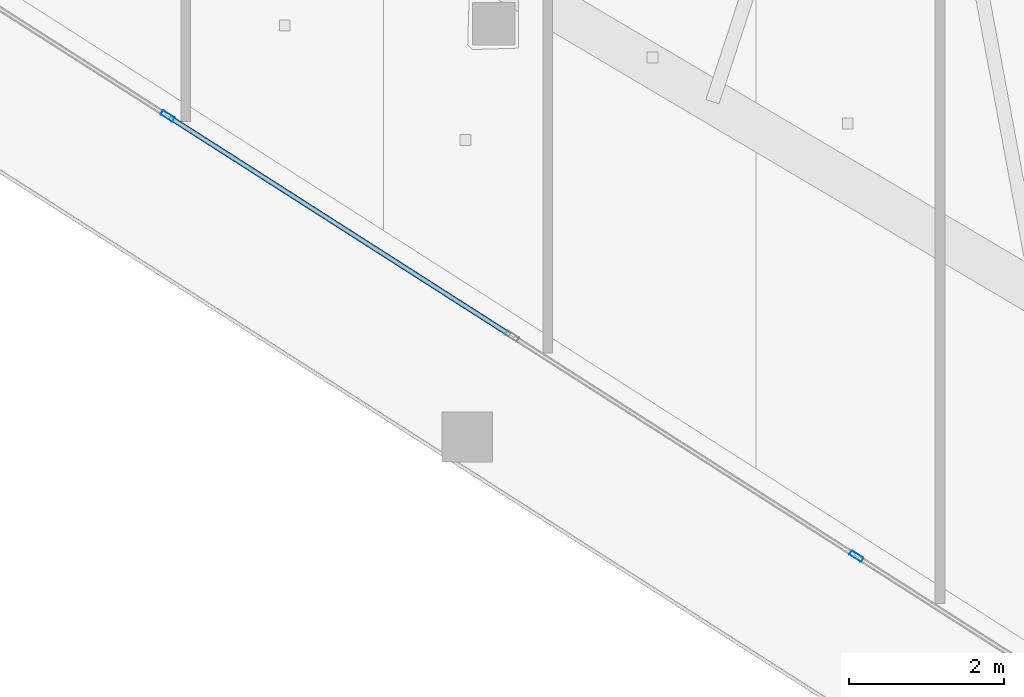
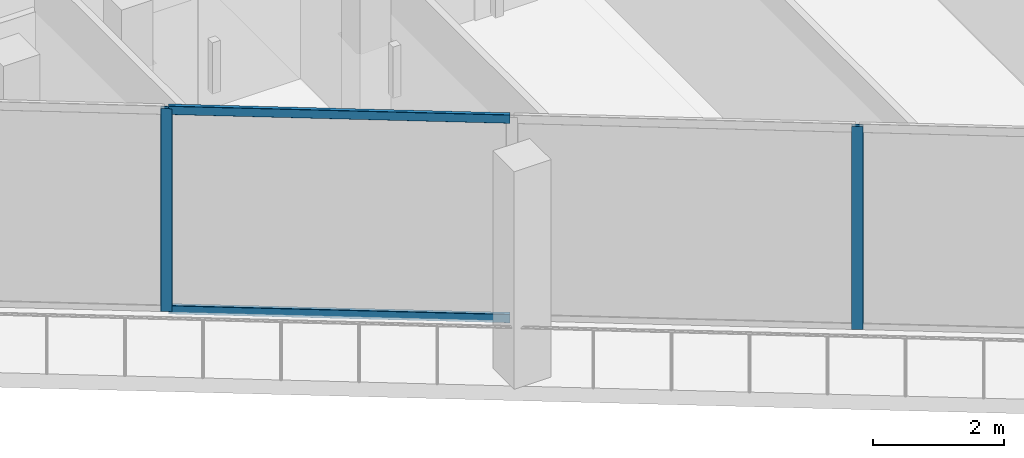
# One storey, part 2 of 33: 4 members, 1 element without a shape of its own.
"""IFC4 building model written with IfcOpenShell, lengths in metres."""

from ifc_helpers import new_model, si_unit, direction, frame, origin, origin_2d, place, context, subcontext, project, spatial, hollow_rectangle, extrude, material, layer, layer_set, material_profile, profile_set, type_object, element, aggregate, save


model = new_model("IFC4")

# Units and contexts
model_context = context("Model", 3, precision=1e-05, world=origin(), true_north=direction((0.0, 1.0)))
body_context = subcontext(model_context, "Body", "Model", "MODEL_VIEW")
ifc_project = project(units=[si_unit("LENGTHUNIT", "METRE"), si_unit("AREAUNIT", "SQUARE_METRE"), si_unit("VOLUMEUNIT", "CUBIC_METRE"), si_unit("PLANEANGLEUNIT", "RADIAN"), si_unit("MASSUNIT", "GRAM", prefix="KILO")], contexts=[model_context])

# Site, building, storey
site_placement = place(None, origin())
site = spatial("IfcSite", under=ifc_project, at=site_placement, CompositionType="ELEMENT")
building_placement = place(site_placement, origin())
building = spatial("IfcBuilding", under=site, at=building_placement, Name="Qorvath Tower", CompositionType="ELEMENT")
storey_placement = place(building_placement, frame((0.0, 0.0, 209.10009765625)))
storey = spatial("IfcBuildingStorey", under=building, at=storey_placement, Name="L48", CompositionType="ELEMENT", Elevation=209.10009765625)

# Curtain wall, members
ifc_material_1 = material(Name="Anodised aluminium and triple low-E glass", Category="aluminium")
ifc_layer = layer(ifc_material_1, 0.179931640625)
ifc_layer_set = layer_set([ifc_layer], Name="CW-SYS-3")
curtain_wall_type = type_object("IfcCurtainWallType", Name="CW-SYS-3", PredefinedType="NOTDEFINED", material=ifc_layer_set)
curtain_wall_placement = place(storey_placement, origin())
curtain_wall = element("IfcCurtainWall", 1, at=curtain_wall_placement, inside=storey, type_object=curtain_wall_type, Name="Curtain Wall CW-3 CW-T-L48-2.2", PredefinedType="NOTDEFINED")
ifc_material_2 = material(Name="Anodised aluminium 6063-T6", Category="aluminium")
ifc_material_profile_1 = material_profile(ifc_material_2, hollow_rectangle(XDim=0.06494140625, YDim=0.179931640625, WallThickness=0.00341796875, InnerFilletRadius=0.00341796875, OuterFilletRadius=0.007080078125, at=origin_2d()), Name="CWM 180x65")
ifc_profile_set_1 = profile_set([ifc_material_profile_1], Name="Anodised aluminium 6063-T6")
member_type_1 = type_object("IfcMemberType", Name="CWM-180", PredefinedType="MULLION", material=ifc_profile_set_1)
member_1_placement = place(storey_placement, frame((-34.885498046875, -15.31689453125, 0.0), z_axis=(0.0, 0.0, 1.0), x_axis=(0.538532547612, 0.842604708723, 0.0)))
member_1 = element("IfcMember", 2, at=member_1_placement, type_object=member_type_1, Name="CW-3 mullion 4", PredefinedType="MULLION", context=body_context, shape_type="SweptSolid", body=[
    extrude(hollow_rectangle(XDim=0.06494140625, YDim=0.179931640625, WallThickness=0.00341796875, InnerFilletRadius=0.00341796875, OuterFilletRadius=0.007080078125, at=origin_2d()), origin(), (0.0, 0.0, 1.0), 3.77978515625),
])
member_2_placement = place(storey_placement, frame((-25.99609375, -20.99853515625, 0.0), z_axis=(0.0, 0.0, 1.0), x_axis=(0.538532547612, 0.842604708723, 0.0)))
member_2 = element("IfcMember", 3, at=member_2_placement, type_object=member_type_1, Name="CW-3 mullion 6", PredefinedType="MULLION", context=body_context, shape_type="SweptSolid", body=[
    extrude(hollow_rectangle(XDim=0.06494140625, YDim=0.179931640625, WallThickness=0.00341796875, InnerFilletRadius=0.00341796875, OuterFilletRadius=0.007080078125, at=origin_2d()), origin(), (0.0, 0.0, 1.0), 3.77978515625),
])
ifc_material_3 = material(Name="Anodised aluminium 6063-T6", Category="aluminium")
ifc_material_profile_2 = material_profile(ifc_material_3, hollow_rectangle(XDim=0.06494140625, YDim=0.159912109375, WallThickness=0.00341796875, InnerFilletRadius=0.00341796875, OuterFilletRadius=0.007080078125, at=origin_2d()), Name="CWT 160x65")
ifc_profile_set_2 = profile_set([ifc_material_profile_2], Name="Anodised aluminium 6063-T6")
member_type_2 = type_object("IfcMemberType", Name="CWT-160", PredefinedType="USERDEFINED", material=ifc_profile_set_2)
member_3_placement = place(storey_placement, frame((-34.858154296875, -15.33447265625, 0.032470703125), z_axis=(0.842608252522, -0.538527002835, 0.0), x_axis=(0.538527002835, 0.842608252522, 0.0)))
member_3 = element("IfcMember", 4, at=member_3_placement, type_object=member_type_2, Name="CW-3 transom 4.1", ObjectType="TRANSOM", PredefinedType="USERDEFINED", context=body_context, shape_type="SweptSolid", body=[
    extrude(hollow_rectangle(XDim=0.06494140625, YDim=0.159912109375, WallThickness=0.00341796875, InnerFilletRadius=0.00341796875, OuterFilletRadius=0.007080078125, at=origin_2d()), origin(), (0.0, 0.0, 1.0), 5.2099609375),
])
member_4_placement = place(storey_placement, frame((-34.858154296875, -15.33447265625, 3.747314453125), z_axis=(0.842608252522, -0.538527002835, 0.0), x_axis=(0.538527002835, 0.842608252522, 0.0)))
member_4 = element("IfcMember", 5, at=member_4_placement, type_object=member_type_2, Name="CW-3 transom 4.2", ObjectType="TRANSOM", PredefinedType="USERDEFINED", context=body_context, shape_type="SweptSolid", body=[
    extrude(hollow_rectangle(XDim=0.06494140625, YDim=0.159912109375, WallThickness=0.00341796875, InnerFilletRadius=0.00341796875, OuterFilletRadius=0.007080078125, at=origin_2d()), origin(), (0.0, 0.0, 1.0), 5.2099609375),
])
aggregate(curtain_wall, [member_1, member_2, member_3, member_4])

save(model, "model.ifc")
